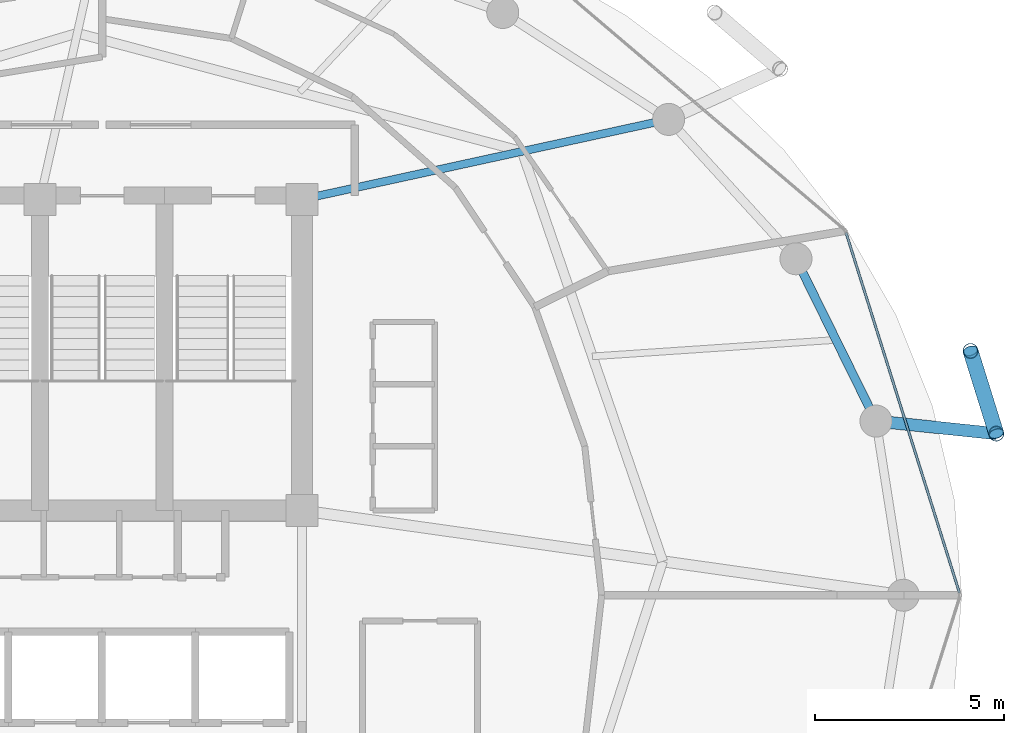
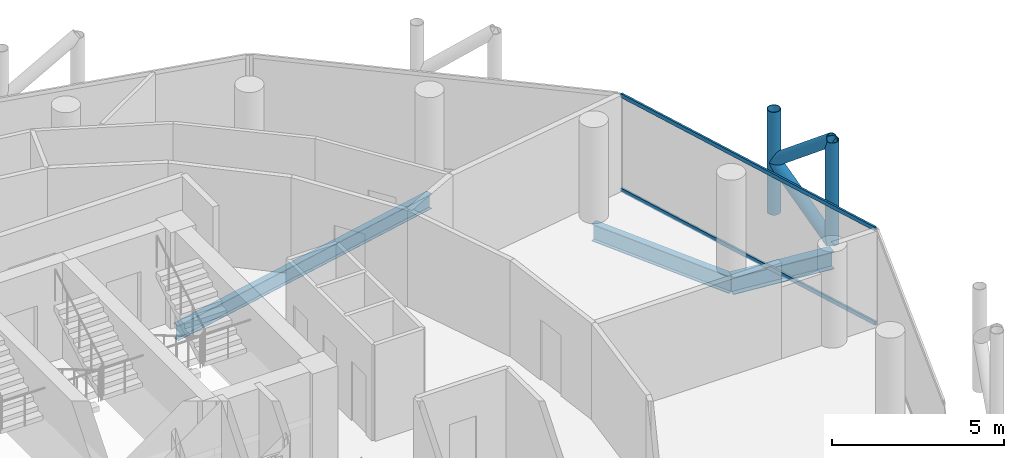
# One storey, part 16 of 27: 6 members, 3 beams, 1 element without a shape of its own.
"""IFC4 building model written with IfcOpenShell, lengths in metres."""

from ifc_helpers import new_model, si_unit, direction, frame, origin, origin_2d, place, context, subcontext, project, spatial, hollow_rectangle, hollow_circle, i_section, extrude, material, layer, layer_set, material_profile, profile_set, type_object, element, aggregate, save


model = new_model("IFC4")

# Units and contexts
model_context = context("Model", 3, precision=1e-05, world=origin(), true_north=direction((0.0, 1.0)))
body_context = subcontext(model_context, "Body", "Model", "MODEL_VIEW")
ifc_project = project(units=[si_unit("LENGTHUNIT", "METRE"), si_unit("AREAUNIT", "SQUARE_METRE"), si_unit("VOLUMEUNIT", "CUBIC_METRE"), si_unit("PLANEANGLEUNIT", "RADIAN"), si_unit("MASSUNIT", "GRAM", prefix="KILO")], contexts=[model_context])

# Site, building, storey
site_placement = place(None, origin())
site = spatial("IfcSite", under=ifc_project, at=site_placement, CompositionType="ELEMENT")
building_placement = place(site_placement, origin())
building = spatial("IfcBuilding", under=site, at=building_placement, Name="Nuhasar Tower", CompositionType="ELEMENT")
storey_placement = place(building_placement, frame((0.0, 0.0, 230.050048828125)))
storey = spatial("IfcBuildingStorey", under=building, at=storey_placement, Name="L56", CompositionType="ELEMENT", Elevation=230.050048828125)

# Beams
ifc_material_1 = material(Name="Steel S355", Category="steel")
ifc_material_profile_1 = material_profile(ifc_material_1, i_section(OverallWidth=0.208984375, OverallDepth=0.528076171875, WebThickness=0.009521484375, FlangeThickness=0.01318359375, at=origin_2d()), Name="W21X55")
ifc_profile_set_1 = profile_set([ifc_material_profile_1], Name="Steel S355")
beam_type_1 = type_object("IfcBeamType", Name="BM-RAD-W21X55", PredefinedType="BEAM", material=ifc_profile_set_1)
beam_1_placement = place(storey_placement, frame((44.300048828125, 37.300048828125, -0.504150390625), z_axis=(0.977014275474, 0.213173885644, 0.0), x_axis=(-0.213173885644, 0.977014275474, 0.0)))
element("IfcBeam", 1, at=beam_1_placement, inside=storey, type_object=beam_type_1, Name="L56 Radial Floor Girder 05", PredefinedType="BEAM", context=body_context, shape_type="SweptSolid", body=[
    extrude(i_section(OverallWidth=0.208984375, OverallDepth=0.528076171875, WebThickness=0.009521484375, FlangeThickness=0.01318359375, at=origin_2d()), origin(), (0.0, 0.0, 1.0), 9.95458984375),
])
ifc_material_profile_2 = material_profile(ifc_material_1, i_section(OverallWidth=0.22802734375, OverallDepth=0.60791015625, WebThickness=0.01123046875, FlangeThickness=0.017333984375, at=origin_2d()), Name="W24X76")
ifc_profile_set_2 = profile_set([ifc_material_profile_2], Name="Steel S355")
beam_type_2 = type_object("IfcBeamType", Name="BM-RING-W24X76", PredefinedType="SPANDREL", material=ifc_profile_set_2)
beam_2_placement = place(storey_placement, frame((59.52587890625, 31.419921875, -0.5439453125), z_axis=(-0.442242604409, 0.896895467067, 0.0), x_axis=(-0.896895467067, -0.442242604409, 0.0)))
element("IfcBeam", 2, at=beam_2_placement, inside=storey, type_object=beam_type_2, Name="L56 Perimeter Ring Spandrel 02", PredefinedType="SPANDREL", context=body_context, shape_type="SweptSolid", body=[
    extrude(i_section(OverallWidth=0.22802734375, OverallDepth=0.60791015625, WebThickness=0.01123046875, FlangeThickness=0.017333984375, at=origin_2d()), origin(), (0.0, 0.0, 1.0), 4.800048828125),
])
ifc_material_profile_3 = material_profile(ifc_material_1, i_section(OverallWidth=0.323974609375, OverallDepth=0.611083984375, WebThickness=0.0126953125, FlangeThickness=0.01904296875, at=origin_2d()), Name="W24X104")
ifc_profile_set_3 = profile_set([ifc_material_profile_3], Name="Steel S355")
beam_type_3 = type_object("IfcBeamType", Name="BM-TIE-W24X104", PredefinedType="BEAM", material=ifc_profile_set_3)
beam_3_placement = place(storey_placement, frame((59.52587890625, 31.419921875, -0.545166015625), z_axis=(0.994571111079, -0.10405914187, 0.0), x_axis=(0.10405914187, 0.994571111079, 0.0)))
element("IfcBeam", 3, at=beam_3_placement, inside=storey, type_object=beam_type_3, Name="L56 Exoskeleton Node Tie Beam 01", PredefinedType="BEAM", context=body_context, shape_type="SweptSolid", body=[
    extrude(i_section(OverallWidth=0.323974609375, OverallDepth=0.611083984375, WebThickness=0.0126953125, FlangeThickness=0.01904296875, at=origin_2d()), origin(), (0.0, 0.0, 1.0), 3.20947265625),
])

# Curtain wall, members
ifc_material_2 = material(Name="Aluminium 6063-T6", Category="aluminium")
ifc_layer = layer(ifc_material_2, 0.18994140625)
ifc_layer_set = layer_set([ifc_layer], Name="Aluminium 6063-T6")
curtain_wall_type = type_object("IfcCurtainWallType", Name="CW-Z3-RES", PredefinedType="NOTDEFINED", material=ifc_layer_set)
curtain_wall_placement = place(storey_placement, origin())
curtain_wall = element("IfcCurtainWall", 4, at=curtain_wall_placement, inside=storey, type_object=curtain_wall_type, Name="L56 Unitised Curtain Wall 01", PredefinedType="NOTDEFINED")
ifc_material_profile_4 = material_profile(ifc_material_2, hollow_rectangle(XDim=0.06494140625, YDim=0.139892578125, WallThickness=0.00439453125, at=origin_2d()), Name="CWT-4")
ifc_profile_set_4 = profile_set([ifc_material_profile_4], Name="Aluminium 6063-T6")
member_type_1 = type_object("IfcMemberType", Name="CW-TRN-S4", PredefinedType="USERDEFINED", material=ifc_profile_set_4)
member_1_placement = place(storey_placement, frame((61.740478515625, 26.862060546875, 0.032470703125), z_axis=(-0.300437373386, 0.953801543652, 0.0), x_axis=(-0.953801543652, -0.300437373386, 0.0)))
member_1 = element("IfcMember", 5, at=member_1_placement, type_object=member_type_1, Name="CW-Z3 transom 1.1", ObjectType="TRANSOM", PredefinedType="USERDEFINED", context=body_context, shape_type="SweptSolid", body=[
    extrude(hollow_rectangle(XDim=0.06494140625, YDim=0.139892578125, WallThickness=0.00439453125, at=origin_2d()), origin(), (0.0, 0.0, 1.0), 10.018798828125),
])
member_2_placement = place(storey_placement, frame((61.740478515625, 26.862060546875, 3.37744140625), z_axis=(-0.300437373386, 0.953801543652, 0.0), x_axis=(-0.953801543652, -0.300437373386, 0.0)))
member_2 = element("IfcMember", 6, at=member_2_placement, type_object=member_type_1, Name="CW-Z3 transom 1.2", ObjectType="TRANSOM", PredefinedType="USERDEFINED", context=body_context, shape_type="SweptSolid", body=[
    extrude(hollow_rectangle(XDim=0.06494140625, YDim=0.139892578125, WallThickness=0.00439453125, at=origin_2d()), origin(), (0.0, 0.0, 1.0), 10.018798828125),
])
aggregate(curtain_wall, [member_1, member_2])

# Members
ifc_material_3 = material(Name="Steel S460", Category="steel")
ifc_material_profile_5 = material_profile(ifc_material_3, hollow_circle(Radius=0.203125, WallThickness=0.01904296875, at=origin_2d()), Name="HSS406.4X19.1")
ifc_profile_set_5 = profile_set([ifc_material_profile_5], Name="Steel S460")
member_type_2 = type_object("IfcMemberType", Name="EXO-BRONZE-406", PredefinedType="BRACE", material=ifc_profile_set_5)
for number, where, z_axis, x_axis, name in (
    (7, (62.718017578125, 31.0859375, 0.0), (0.0, 0.0, 1.0), (1.0, 0.0, 0.0), "L56 Exoskeleton Chord Column EC-01A"),
    (8, (62.032958984375, 33.281005859375, 0.0), (0.0, 0.0, 1.0), (1.0, 0.0, 0.0), "L56 Exoskeleton Chord Column EC-01B"),
):
    element("IfcMember", number, at=place(storey_placement, frame(where, z_axis=z_axis, x_axis=x_axis)), inside=storey, type_object=member_type_2, Name=name, PredefinedType="BRACE", context=body_context, shape_type="SweptSolid", body=[
        extrude(hollow_circle(Radius=0.203125, WallThickness=0.01904296875, at=origin_2d()), origin(), (0.0, 0.0, 1.0), 3.64990234375),
    ])
for number, where, z_axis, x_axis, name in (
    (9, (62.718017578125, 31.0859375, 0.0), (-0.233357911711, 0.747726651531, 0.621650174641), (-0.954591372974, -0.297918295247, 0.0), "L56 Bronze Diagrid Brace W1-01"),
    (10, (62.032958984375, 33.281005859375, 1.824951171875), (0.233357911711, -0.747726651531, 0.621650174641), (0.954591372974, 0.297918295247, 0.0), "L56 Bronze Diagrid Brace W2-01"),
):
    element("IfcMember", number, at=place(storey_placement, frame(where, z_axis=z_axis, x_axis=x_axis)), inside=storey, type_object=member_type_2, Name=name, PredefinedType="BRACE", context=body_context, shape_type="SweptSolid", body=[
        extrude(hollow_circle(Radius=0.203125, WallThickness=0.01904296875, at=origin_2d()), origin(), (0.0, 0.0, 1.0), 2.935546875),
    ])

save(model, "model.ifc")
